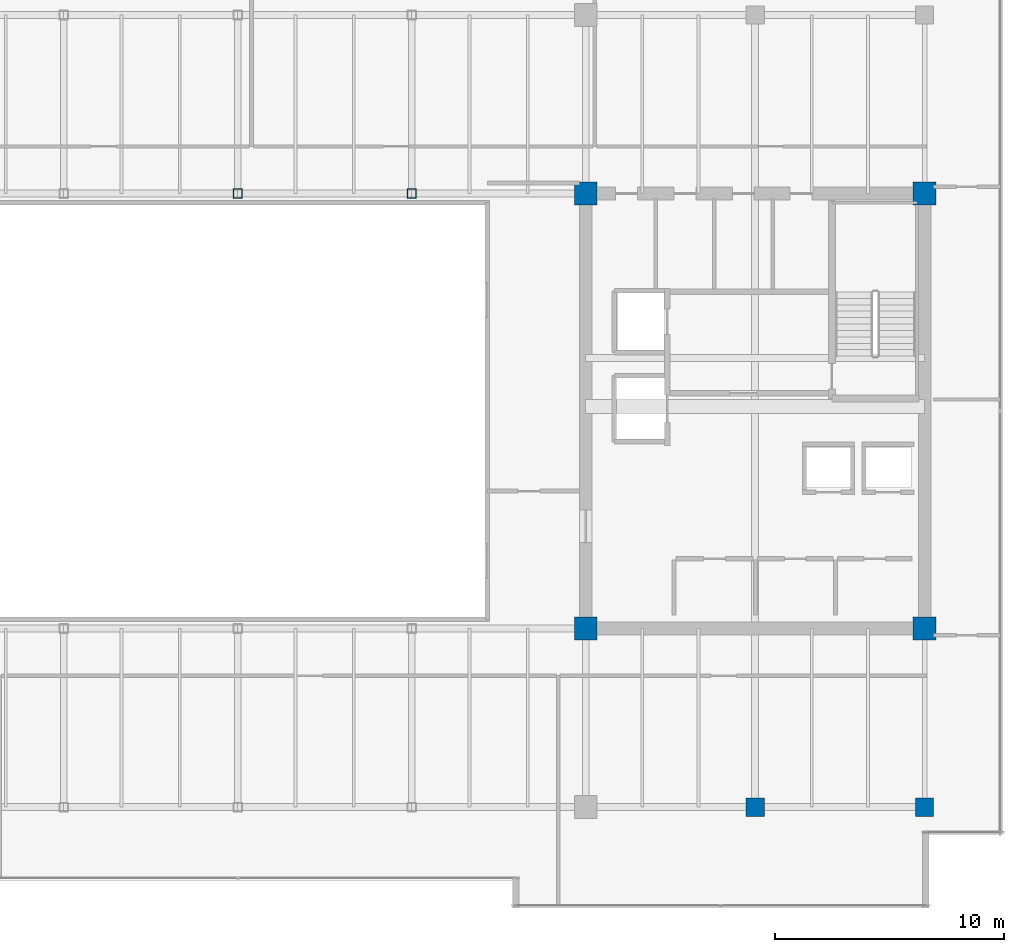
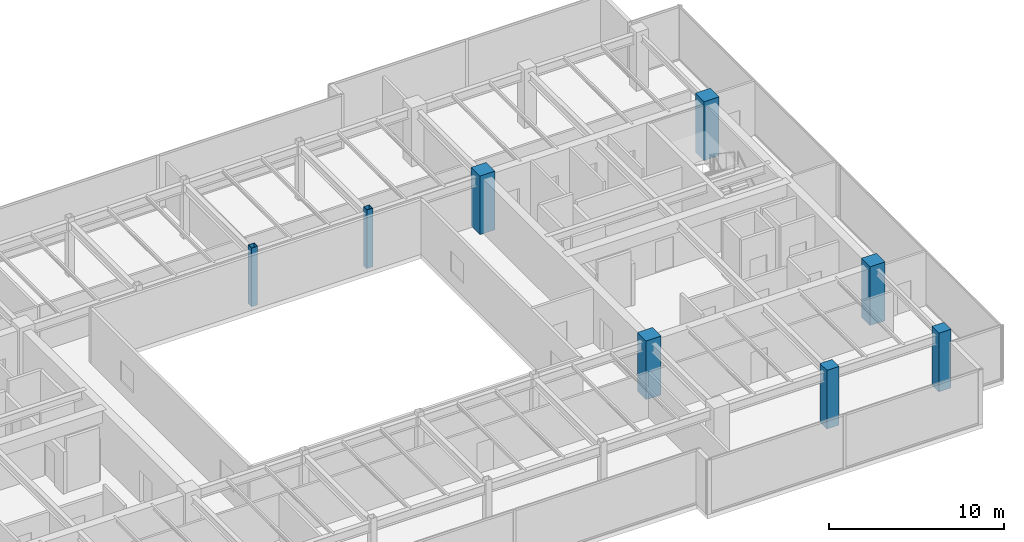
# One storey, part 2 of 33: 8 columns.
"""IFC4 building model written with IfcOpenShell, lengths in metres."""

from ifc_helpers import new_model, si_unit, direction, frame, origin, origin_2d, place, context, subcontext, project, spatial, rectangle, hollow_rectangle, extrude, source, transform, mapped, material, material_profile, profile_set, type_object, type_shapes, element, save


model = new_model("IFC4")

# Units and contexts
model_context = context("Model", 3, precision=1e-05, world=origin(), true_north=direction((0.0, 1.0)))
body_context = subcontext(model_context, "Body", "Model", "MODEL_VIEW")
ifc_project = project(units=[si_unit("LENGTHUNIT", "METRE"), si_unit("AREAUNIT", "SQUARE_METRE"), si_unit("VOLUMEUNIT", "CUBIC_METRE"), si_unit("PLANEANGLEUNIT", "RADIAN"), si_unit("MASSUNIT", "GRAM", prefix="KILO")], contexts=[model_context])

# Site, building, storey
site_placement = place(None, origin())
site = spatial("IfcSite", under=ifc_project, at=site_placement, CompositionType="ELEMENT")
building_placement = place(site_placement, origin())
building = spatial("IfcBuilding", under=site, at=building_placement, Name="Haelvirn Gate Laboratories", CompositionType="ELEMENT")
storey_placement = place(building_placement, frame((0.0, 0.0, 275.199951171875)))
storey = spatial("IfcBuildingStorey", under=building, at=storey_placement, Name="L66", CompositionType="ELEMENT", Elevation=275.199951171875)

# Columns
ifc_material_1 = material(Name="Concrete C60/75", Category="concrete")
ifc_material_profile_1 = material_profile(ifc_material_1, rectangle(XDim=1.0, YDim=1.0, at=origin_2d()), Name="RC-1000x1000")
ifc_profile_set_1 = profile_set([ifc_material_profile_1], Name="Concrete C60/75")
column_type_1 = type_object("IfcColumnType", Name="COL-RC-1000", PredefinedType="COLUMN", material=ifc_profile_set_1)
shared_shape_1 = source(origin(), body_context, "Body", "SweptSolid", [
    extrude(rectangle(XDim=1.0, YDim=1.0, at=origin_2d()), origin(), (0.0, 0.0, 1.0), 4.10009765625),
])
type_shapes(column_type_1, [shared_shape_1])
for number, where, z_axis, x_axis, name in (
    (1, (52.60009765625, 14.800048828125, 0.0), (0.0, 0.0, 1.0), (1.0, 0.0, 0.0), "L66 Column 8C"),
    (2, (67.39990234375, 14.800048828125, 0.0), (0.0, 0.0, 1.0), (1.0, 0.0, 0.0), "L66 Column 10C"),
    (3, (52.60009765625, 33.800048828125, 0.0), (0.0, 0.0, 1.0), (1.0, 0.0, 0.0), "L66 Column 8F"),
    (4, (67.39990234375, 33.800048828125, 0.0), (0.0, 0.0, 1.0), (1.0, 0.0, 0.0), "L66 Column 10F"),
):
    element("IfcColumn", number, at=place(storey_placement, frame(where, z_axis=z_axis, x_axis=x_axis)), inside=storey, type_object=column_type_1, Name=name, PredefinedType="COLUMN", context=body_context, shape_type="MappedRepresentation", body=[
        mapped(shared_shape_1, transform((0.0, 0.0, 0.0), scale=1.0)),
    ])
ifc_material_2 = material(Name="Concrete C50/60", Category="concrete")
ifc_material_profile_2 = material_profile(ifc_material_2, rectangle(XDim=0.800048828125, YDim=0.800048828125, at=origin_2d()), Name="RC-800x800")
ifc_profile_set_2 = profile_set([ifc_material_profile_2], Name="Concrete C50/60")
column_type_2 = type_object("IfcColumnType", Name="COL-RC-800", PredefinedType="COLUMN", material=ifc_profile_set_2)
shared_shape_2 = source(origin(), body_context, "Body", "SweptSolid", [
    extrude(rectangle(XDim=0.800048828125, YDim=0.800048828125, at=origin_2d()), origin(), (0.0, 0.0, 1.0), 4.10009765625),
])
type_shapes(column_type_2, [shared_shape_2])
for number, where, z_axis, x_axis, name in (
    (5, (60.0, 7.0, 0.0), (0.0, 0.0, 1.0), (1.0, 0.0, 0.0), "L66 Column 9B"),
    (6, (67.39990234375, 7.0, 0.0), (0.0, 0.0, 1.0), (1.0, 0.0, 0.0), "L66 Column 10B"),
):
    element("IfcColumn", number, at=place(storey_placement, frame(where, z_axis=z_axis, x_axis=x_axis)), inside=storey, type_object=column_type_2, Name=name, PredefinedType="COLUMN", context=body_context, shape_type="MappedRepresentation", body=[
        mapped(shared_shape_2, transform((0.0, 0.0, 0.0), scale=1.0)),
    ])
ifc_material_3 = material(Name="Steel SM355", Category="steel")
ifc_material_profile_3 = material_profile(ifc_material_3, hollow_rectangle(XDim=0.39990234375, YDim=0.39990234375, WallThickness=0.01904296875, at=origin_2d()), Name="BOX-400x400x19")
ifc_profile_set_3 = profile_set([ifc_material_profile_3], Name="Steel SM355")
column_type_3 = type_object("IfcColumnType", Name="COL-BOX-400", PredefinedType="COLUMN", material=ifc_profile_set_3)
shared_shape_3 = source(origin(), body_context, "Body", "SweptSolid", [
    extrude(hollow_rectangle(XDim=0.39990234375, YDim=0.39990234375, WallThickness=0.01904296875, at=origin_2d()), origin(), (0.0, 0.0, 1.0), 4.10009765625),
])
type_shapes(column_type_3, [shared_shape_3])
for number, where, z_axis, x_axis, name in (
    (7, (37.39990234375, 33.800048828125, 0.0), (0.0, 0.0, 1.0), (1.0, 0.0, 0.0), "L66 Column 6F"),
    (8, (45.0, 33.800048828125, 0.0), (0.0, 0.0, 1.0), (1.0, 0.0, 0.0), "L66 Column 7F"),
):
    element("IfcColumn", number, at=place(storey_placement, frame(where, z_axis=z_axis, x_axis=x_axis)), inside=storey, type_object=column_type_3, Name=name, PredefinedType="COLUMN", context=body_context, shape_type="MappedRepresentation", body=[
        mapped(shared_shape_3, transform((0.0, 0.0, 0.0), scale=1.0)),
    ])

save(model, "model.ifc")
